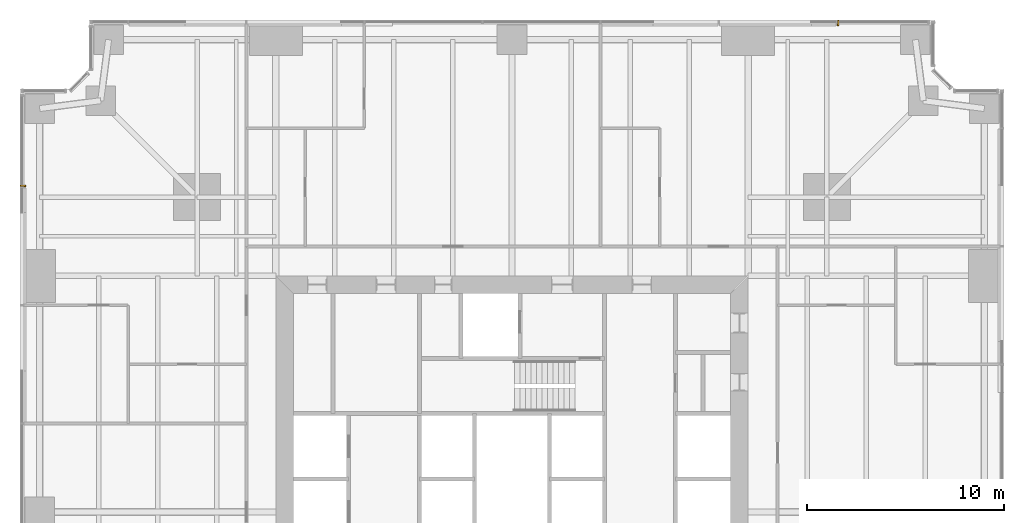
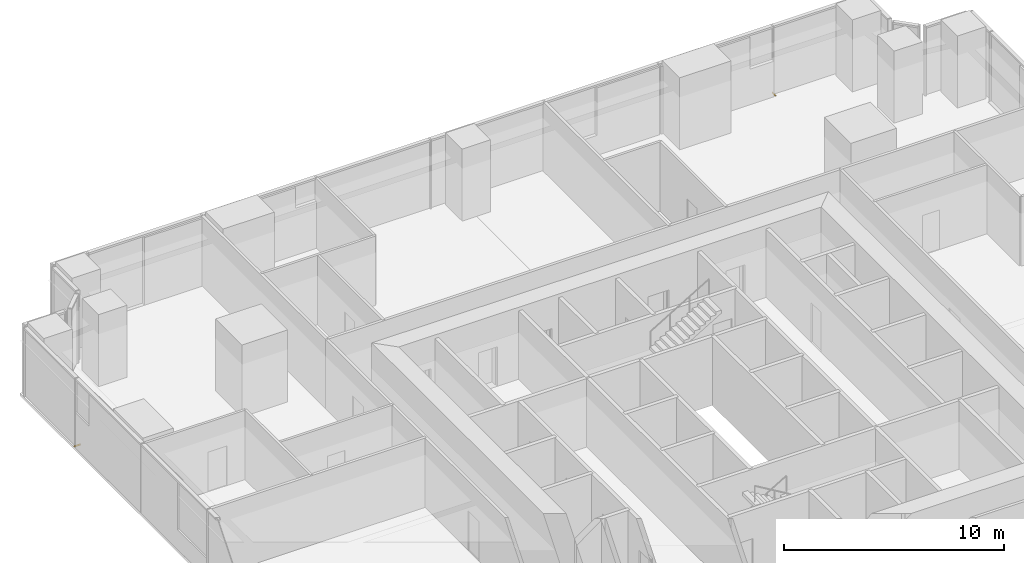
# One storey, part 15 of 15: 2 coverings.
"""IFC4 building model written with IfcOpenShell, lengths in metres."""

import ifcopenshell
import ifcopenshell.guid

model = None  # the IFC model being written
_history = None  # IfcOwnerHistory: only IFC2X3 demands one
_inside = {}  # id of a spatial element -> (the spatial element, [elements in it])
_under = {}  # id of a project, library or spatial element -> (it, [spatial elements below it])
_declared = {}  # id of a project -> (the project, [libraries it declares])
_typed = {}  # id of a type object -> (the type object, [elements of that type])
_made_of = {}  # id of a material, layer set ... -> (it, [elements and type objects made of it])


def new_model(schema):
    """Start an empty IFC model of exactly this schema.

    Asked for "IFC4X3", IfcOpenShell would pick the latest addendum, in which some entities
    have other attributes; the version numbers below select the first issue.
    IFC2X3 requires an IfcOwnerHistory on every rooted entity: one is made here for all.
    """
    global model, _history
    if schema == "IFC4X3":
        model = ifcopenshell.file(schema_version=(4, 3, 0, 0))
    else:
        model = ifcopenshell.file(schema=schema)
    _inside.clear()
    _under.clear()
    _declared.clear()
    _typed.clear()
    _made_of.clear()
    _history = None
    if model.schema == "IFC2X3":
        org = make("IfcOrganization", Name="unknown")
        user = make(
            "IfcPersonAndOrganization",
            ThePerson=make("IfcPerson", FamilyName="unknown"),
            TheOrganization=org,
        )
        app = make(
            "IfcApplication",
            ApplicationDeveloper=org,
            Version="unknown",
            ApplicationFullName="unknown",
            ApplicationIdentifier="unknown",
        )
        _history = make(
            "IfcOwnerHistory",
            OwningUser=user,
            OwningApplication=app,
            ChangeAction="ADDED",
            CreationDate=0,
        )
    return model


def make(cls, **values):
    """One entity of the class cls with the attributes given. An attribute that is None is left unset."""
    return model.create_entity(
        cls, **{name: value for name, value in values.items() if value is not None}
    )


def rooted(cls, **values):
    """An entity with a GlobalId (a new one), such as an element, a storey or a relation."""
    return make(cls, GlobalId=ifcopenshell.guid.new(), OwnerHistory=_history, **values)


def si_unit(unit_type, name, prefix=None):
    """IfcSIUnit, for example si_unit("LENGTHUNIT", "METRE", prefix="MILLI")."""
    return make("IfcSIUnit", UnitType=unit_type, Prefix=prefix, Name=name)


def assignment(units):
    """IfcUnitAssignment: the units of a project."""
    return None if units is None else make("IfcUnitAssignment", Units=units)


def point(xyz):
    """IfcCartesianPoint."""
    return None if xyz is None else make("IfcCartesianPoint", Coordinates=xyz)


def direction(xyz):
    """IfcDirection."""
    return None if xyz is None else make("IfcDirection", DirectionRatios=xyz)


def frame(location, z_axis=None, x_axis=None):
    """IfcAxis2Placement3D, a coordinate frame: its origin and axes. An axis left out is left unset."""
    return make(
        "IfcAxis2Placement3D",
        Location=point(location),
        Axis=direction(z_axis),
        RefDirection=direction(x_axis),
    )


def origin():
    """The frame at (0, 0, 0) with its axes left unset."""
    return frame((0.0, 0.0, 0.0))


def place(relative_to, where):
    """IfcLocalPlacement: puts the frame where relative to a parent placement (None: the world)."""
    return make(
        "IfcLocalPlacement", PlacementRelTo=relative_to, RelativePlacement=where
    )


def context(
    kind, dimensions, precision=None, world=None, true_north=None, identifier=None
):
    """IfcGeometricRepresentationContext, for example the 3D "Model" context."""
    return make(
        "IfcGeometricRepresentationContext",
        ContextIdentifier=identifier,
        ContextType=kind,
        CoordinateSpaceDimension=dimensions,
        Precision=precision,
        WorldCoordinateSystem=world,
        TrueNorth=true_north,
    )


def subcontext(parent, identifier, kind, view, scale=None):
    """IfcGeometricRepresentationSubContext, for example "Body" below "Model"."""
    return make(
        "IfcGeometricRepresentationSubContext",
        ContextIdentifier=identifier,
        ContextType=kind,
        ParentContext=parent,
        TargetScale=scale,
        TargetView=view,
    )


def project(units=None, contexts=None):
    """IfcProject with its units and contexts."""
    return rooted(
        "IfcProject",
        Name="project",
        RepresentationContexts=contexts,
        UnitsInContext=assignment(units),
    )


def spatial(cls, under=None, at=None, **own):
    """A site, building, storey or space (cls), placed at a placement, below another one or the project."""
    s = rooted(cls, ObjectPlacement=at, **own)
    if under is not None:
        _under.setdefault(under.id(), (under, []))[1].append(s)
    return s


def polyline(points):
    """IfcPolyline through the points."""
    return make("IfcPolyline", Points=[point(p) for p in points])


def outline(outer, holes=None, kind="AREA"):
    """IfcArbitraryClosedProfileDef: a profile drawn as a closed curve; with holes, ...WithVoids."""
    if holes is None:
        return make("IfcArbitraryClosedProfileDef", ProfileType=kind, OuterCurve=outer)
    return make(
        "IfcArbitraryProfileDefWithVoids",
        ProfileType=kind,
        OuterCurve=outer,
        InnerCurves=holes,
    )


def extrude(swept, where, along, depth):
    """IfcExtrudedAreaSolid: the profile swept, set in the frame where, extruded along a direction by depth."""
    return make(
        "IfcExtrudedAreaSolid",
        SweptArea=swept,
        Position=where,
        ExtrudedDirection=direction(along),
        Depth=depth,
    )


def shape(context_of_items, identifier, shape_type, items):
    """IfcShapeRepresentation: the items that make up one representation, for example the "Body"."""
    return make(
        "IfcShapeRepresentation",
        ContextOfItems=context_of_items,
        RepresentationIdentifier=identifier,
        RepresentationType=shape_type,
        Items=items,
    )


def material(Name=None, Category=None):
    """IfcMaterial."""
    return make("IfcMaterial", Name=Name, Category=Category)


def layer(
    of_material, thickness, ventilated=None, Name=None, Category=None, Priority=None
):
    """IfcMaterialLayer: one layer of a wall or slab, of a material (None: an air gap)."""
    return make(
        "IfcMaterialLayer",
        Material=of_material,
        LayerThickness=thickness,
        IsVentilated=ventilated,
        Name=Name,
        Category=Category,
        Priority=Priority,
    )


def layer_set(layers, Name=None):
    """IfcMaterialLayerSet."""
    return make("IfcMaterialLayerSet", MaterialLayers=layers, LayerSetName=Name)


def made_of(thing, what):
    """Note that an element or type object is made of a material, layer set ...; save() writes the relation."""
    if what is not None:
        _made_of.setdefault(what.id(), (what, []))[1].append(thing)
    return thing


def type_object(cls, material=None, **own):
    """A type object (cls), such as IfcWallType, which elements share."""
    return made_of(rooted(cls, **own), material)


def element(
    cls,
    number,
    at=None,
    inside=None,
    cuts=None,
    type_object=None,
    material=None,
    context=None,
    identifier="Body",
    shape_type=None,
    held_by="IfcProductDefinitionShape",
    body=None,
    shapes=None,
    **own,
):
    """One element of the class cls, such as IfcWall. Its Tag is "e" and its number.

    at: its placement. inside: the storey or other place that contains it. cuts: it is an
    opening in that element (IfcRelVoidsElement). A single representation is given by context,
    identifier, shape_type and body (its items); several are given by shapes. held_by: the class
    of the entity that holds the representations. save() writes the other relations.
    """
    e = rooted(cls, Tag="e%d" % number, ObjectPlacement=at, **own)
    if body is not None:
        shapes = [shape(context, identifier, shape_type, body)]
    if shapes is not None:
        e.Representation = make(held_by, Representations=shapes)
    if inside is not None:
        _inside.setdefault(inside.id(), (inside, []))[1].append(e)
    if cuts is not None:
        rooted(
            "IfcRelVoidsElement", RelatingBuildingElement=cuts, RelatedOpeningElement=e
        )
    if type_object is not None:
        _typed.setdefault(type_object.id(), (type_object, []))[1].append(e)
    return made_of(e, material)


def aggregate(whole, parts):
    """IfcRelAggregates: a whole, such as a stair, and the parts it consists of."""
    return rooted("IfcRelAggregates", RelatingObject=whole, RelatedObjects=parts)


def save(model, path):
    """Write the relations noted so far, then the file.

    IfcRelAggregates (storeys below a building ...), IfcRelContainedInSpatialStructure (elements
    in a storey), IfcRelDefinesByType, IfcRelAssociatesMaterial and IfcRelDeclares: one each for
    every whole, place, type object, material and project.
    """
    for whole, parts in _under.values():
        aggregate(whole, parts)
    for where, things in _inside.values():
        rooted(
            "IfcRelContainedInSpatialStructure",
            RelatedElements=things,
            RelatingStructure=where,
        )
    for kind, things in _typed.values():
        rooted("IfcRelDefinesByType", RelatedObjects=things, RelatingType=kind)
    for what, things in _made_of.values():
        rooted("IfcRelAssociatesMaterial", RelatedObjects=things, RelatingMaterial=what)
    for by, libraries in _declared.values():
        rooted("IfcRelDeclares", RelatingContext=by, RelatedDefinitions=libraries)
    model.write(path)


model = new_model("IFC4")

# Units and contexts
model_context = context("Model", 3, precision=1e-05, world=origin(), true_north=direction((0.0, 1.0)))
body_context = subcontext(model_context, "Body", "Model", "MODEL_VIEW")
ifc_project = project(units=[si_unit("LENGTHUNIT", "METRE"), si_unit("AREAUNIT", "SQUARE_METRE"), si_unit("VOLUMEUNIT", "CUBIC_METRE"), si_unit("PLANEANGLEUNIT", "RADIAN"), si_unit("MASSUNIT", "GRAM", prefix="KILO")], contexts=[model_context])

# Site, building, storey
site_placement = place(None, origin())
site = spatial("IfcSite", under=ifc_project, at=site_placement, CompositionType="ELEMENT")
building_placement = place(site_placement, origin())
building = spatial("IfcBuilding", under=site, at=building_placement, Name="Fenwick Lantern Interchange", CompositionType="ELEMENT")
storey_placement = place(building_placement, frame((0.0, 0.0, 51.0)))
storey = spatial("IfcBuildingStorey", under=building, at=storey_placement, Name="L11", CompositionType="ELEMENT", Elevation=51.0)

# Coverings
ifc_material = material(Name="Granite cladding, warm grey flamed finish, on aluminium carrier frame", Category="masonry")
ifc_layer = layer(ifc_material, 0.300048828125)
ifc_layer_set = layer_set([ifc_layer], Name="BRACE CASING PANEL 300")
covering_type = type_object("IfcCoveringType", Name="BRACE CASING PANEL 300", PredefinedType="CLADDING", material=ifc_layer_set)
for number, where, z_axis, x_axis, name in (
    (1, (46.39990234375, 49.89990234375, 0.0), (0.0, 0.0, 1.0), (-1.0, 0.0, 0.0), "Brace casing 09 bay 00a"),
    (2, (0.10009765625, 46.39990234375, 0.0), (0.0, 0.0, 1.0), (0.0, -1.0, 0.0), "Brace casing 13 bay 00a"),
):
    element("IfcCovering", number, at=place(storey_placement, frame(where, z_axis=z_axis, x_axis=x_axis)), inside=storey, type_object=covering_type, Name=name, PredefinedType="CLADDING", context=body_context, shape_type="SweptSolid", body=[
        extrude(outline(polyline([(4.7900390625, 0.0), (4.867431640625, 0.0), (4.867431640625, 0.109375), (4.7900390625, 0.0)])), frame((0.0, 0.2001953125, 0.0), z_axis=(0.0, -1.0, 0.0), x_axis=(1.0, 0.0, 0.0)), (0.0, 0.0, 1.0), 0.300048828125),
    ])

save(model, "model.ifc")
